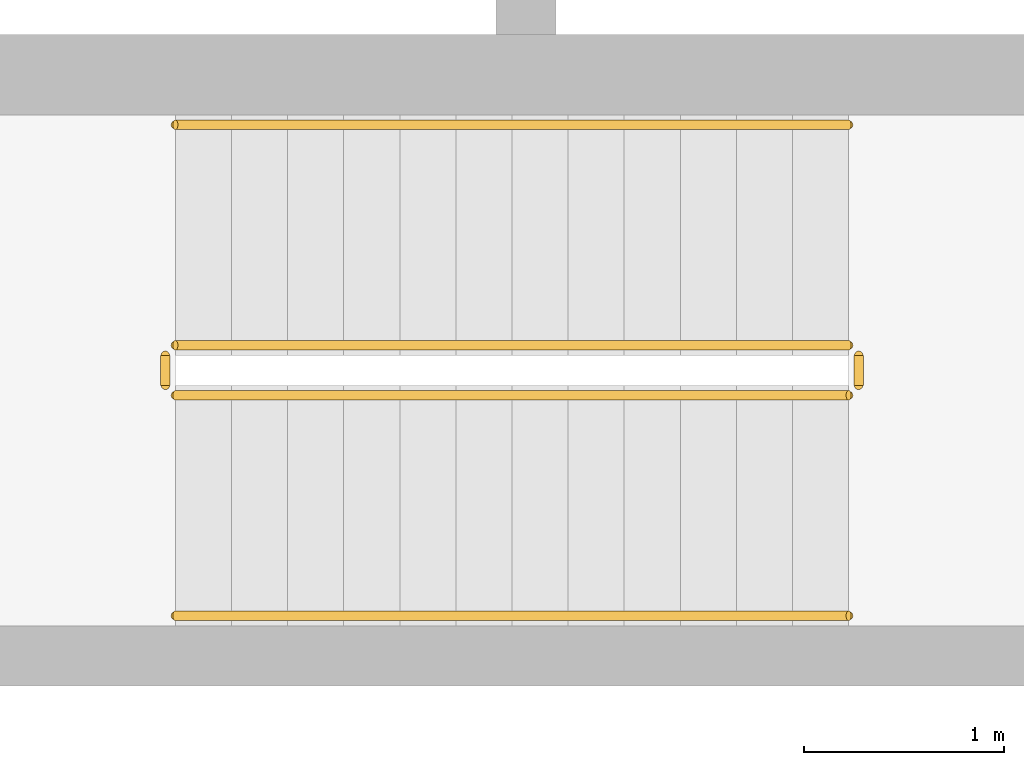
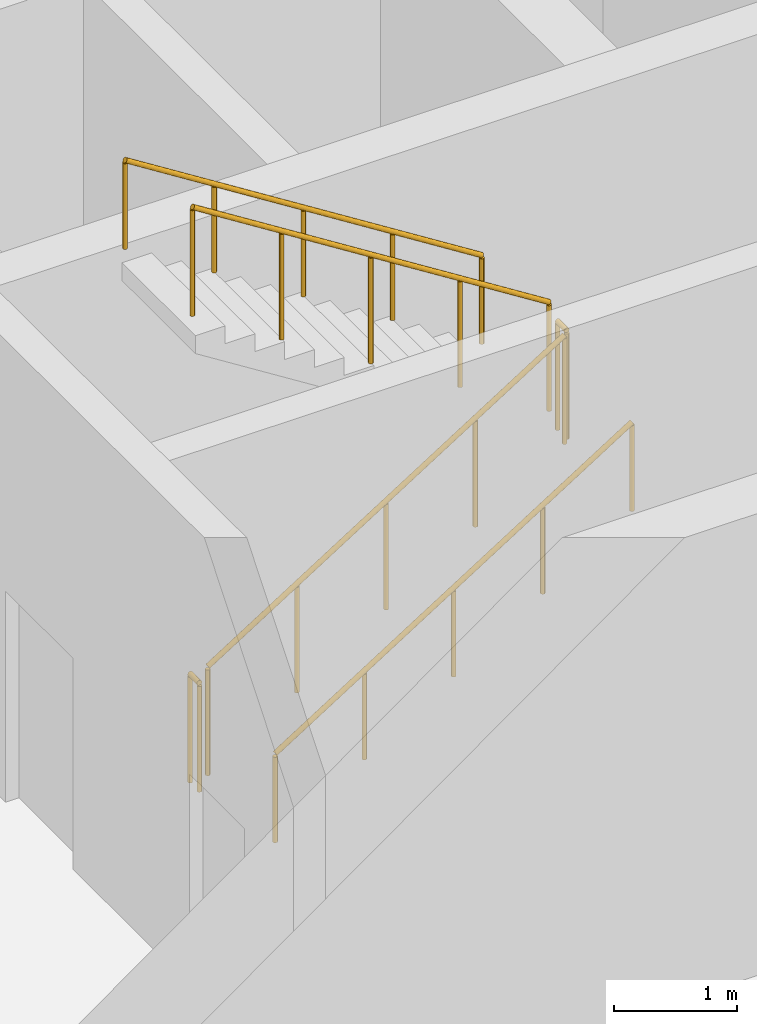
# One storey, part 12 of 15: 6 railings.
"""IFC4 building model written with IfcOpenShell, lengths in metres."""

from ifc_helpers import new_model, si_unit, direction, frame, origin, origin_2d, place, context, subcontext, project, spatial, circle, extrude, material, type_object, element, save


model = new_model("IFC4")

# Units and contexts
model_context = context("Model", 3, precision=1e-05, world=origin(), true_north=direction((0.0, 1.0)))
body_context = subcontext(model_context, "Body", "Model", "MODEL_VIEW")
ifc_project = project(units=[si_unit("LENGTHUNIT", "METRE"), si_unit("AREAUNIT", "SQUARE_METRE"), si_unit("VOLUMEUNIT", "CUBIC_METRE"), si_unit("PLANEANGLEUNIT", "RADIAN"), si_unit("MASSUNIT", "GRAM", prefix="KILO")], contexts=[model_context])

# Site, building, storey
site_placement = place(None, origin())
site = spatial("IfcSite", under=ifc_project, at=site_placement, CompositionType="ELEMENT")
building_placement = place(site_placement, origin())
building = spatial("IfcBuilding", under=site, at=building_placement, Name="Ostrand Prow Hotel Tower", CompositionType="ELEMENT")
storey_placement = place(building_placement, frame((0.0, 0.0, 263.300048828125)))
storey = spatial("IfcBuildingStorey", under=building, at=storey_placement, Name="L66", CompositionType="ELEMENT", Elevation=263.300048828125)

# Railings
ifc_material_1 = material(Name="Painted steel", Category="steel")
railing_type_1 = type_object("IfcRailingType", Name="Stair guard 1100", PredefinedType="GUARDRAIL", material=ifc_material_1)
railing_1_placement = place(storey_placement, frame((57.199951171875, -11.75, 0.1767578125)))
element("IfcRailing", 1, at=railing_1_placement, inside=storey, type_object=railing_type_1, Name="L66 ST2C stair guard 1", PredefinedType="GUARDRAIL", context=body_context, shape_type="SweptSolid", body=[
    extrude(circle(Radius=0.02392578125, at=origin_2d()), frame((0.0, 0.0, 1.076171875), z_axis=(0.845361898145, 0.0, 0.534194029511), x_axis=(0.0, 1.0, 0.0)), (0.0, 0.0, 1.0), 3.974853515625),
    extrude(circle(Radius=0.02099609375, at=origin_2d()), origin(), (0.0, 0.0, 1.0), 1.052001953125),
    extrude(circle(Radius=0.02099609375, at=origin_2d()), frame((0.840087890625, 0.0, 0.53076171875)), (0.0, 0.0, 1.0), 1.052001953125),
    extrude(circle(Radius=0.02099609375, at=origin_2d()), frame((1.68017578125, 0.0, 1.0615234375)), (0.0, 0.0, 1.0), 1.052001953125),
    extrude(circle(Radius=0.02099609375, at=origin_2d()), frame((2.52001953125, 0.0, 1.592529296875)), (0.0, 0.0, 1.0), 1.052001953125),
    extrude(circle(Radius=0.02099609375, at=origin_2d()), frame((3.360107421875, 0.0, 2.123291015625)), (0.0, 0.0, 1.0), 1.052001953125),
])
railing_2_placement = place(storey_placement, frame((60.610107421875, -11.699951171875, 2.300048828125)))
element("IfcRailing", 2, at=railing_2_placement, inside=storey, type_object=railing_type_1, Name="L66 ST2C stair guard 2", PredefinedType="GUARDRAIL", context=body_context, shape_type="SweptSolid", body=[
    extrude(circle(Radius=0.02392578125, at=origin_2d()), frame((0.0, 0.0, 1.076171875), z_axis=(0.0, 1.0, 0.0), x_axis=(-1.0, 0.0, 0.0)), (0.0, 0.0, 1.0), 0.14990234375),
    extrude(circle(Radius=0.02099609375, at=origin_2d()), origin(), (0.0, 0.0, 1.0), 1.052001953125),
    extrude(circle(Radius=0.02099609375, at=origin_2d()), frame((0.0, 0.14990234375, 0.0)), (0.0, 0.0, 1.0), 1.052001953125),
])
railing_3_placement = place(storey_placement, frame((60.56005859375, -11.5, 2.476806640625)))
element("IfcRailing", 3, at=railing_3_placement, inside=storey, type_object=railing_type_1, Name="L66 ST2C stair guard 3", PredefinedType="GUARDRAIL", context=body_context, shape_type="SweptSolid", body=[
    extrude(circle(Radius=0.02392578125, at=origin_2d()), frame((0.0, 0.0, 1.076171875), z_axis=(-0.845389635667, 0.0, 0.534150132366), x_axis=(0.0, -1.0, 0.0)), (0.0, 0.0, 1.0), 3.974609375),
    extrude(circle(Radius=0.02099609375, at=origin_2d()), origin(), (0.0, 0.0, 1.0), 1.052001953125),
    extrude(circle(Radius=0.02099609375, at=origin_2d()), frame((-0.840087890625, 0.0, 0.53076171875)), (0.0, 0.0, 1.0), 1.052001953125),
    extrude(circle(Radius=0.02099609375, at=origin_2d()), frame((-1.68017578125, 0.0, 1.0615234375)), (0.0, 0.0, 1.0), 1.052001953125),
    extrude(circle(Radius=0.02099609375, at=origin_2d()), frame((-2.52001953125, 0.0, 1.59228515625)), (0.0, 0.0, 1.0), 1.052001953125),
    extrude(circle(Radius=0.02099609375, at=origin_2d()), frame((-3.360107421875, 0.0, 2.123046875)), (0.0, 0.0, 1.0), 1.052001953125),
])
railing_4_placement = place(storey_placement, frame((57.14990234375, -11.699951171875, 0.0)))
element("IfcRailing", 4, at=railing_4_placement, inside=storey, type_object=railing_type_1, Name="L66 ST2C stair guard 4", PredefinedType="GUARDRAIL", context=body_context, shape_type="SweptSolid", body=[
    extrude(circle(Radius=0.02392578125, at=origin_2d()), frame((0.0, 0.0, 1.076171875), z_axis=(0.0, 1.0, 0.0), x_axis=(-1.0, 0.0, 0.0)), (0.0, 0.0, 1.0), 0.14990234375),
    extrude(circle(Radius=0.02099609375, at=origin_2d()), origin(), (0.0, 0.0, 1.0), 1.052001953125),
    extrude(circle(Radius=0.02099609375, at=origin_2d()), frame((0.0, 0.14990234375, 0.0)), (0.0, 0.0, 1.0), 1.052001953125),
])
ifc_material_2 = material(Name="Stainless steel", Category="steel")
railing_type_2 = type_object("IfcRailingType", Name="Stair handrail 900", PredefinedType="HANDRAIL", material=ifc_material_2)
railing_5_placement = place(storey_placement, frame((57.199951171875, -12.85009765625, 0.1767578125)))
element("IfcRailing", 5, at=railing_5_placement, inside=storey, type_object=railing_type_2, Name="L66 ST2C stair handrail 1", PredefinedType="HANDRAIL", context=body_context, shape_type="SweptSolid", body=[
    extrude(circle(Radius=0.02392578125, at=origin_2d()), frame((0.0, 0.0, 0.8759765625), z_axis=(0.845361898145, 0.0, 0.534194029511), x_axis=(0.0, 1.0, 0.0)), (0.0, 0.0, 1.0), 3.974853515625),
    extrude(circle(Radius=0.02099609375, at=origin_2d()), origin(), (0.0, 0.0, 1.0), 0.851806640625),
    extrude(circle(Radius=0.02099609375, at=origin_2d()), frame((0.840087890625, 0.0, 0.53076171875)), (0.0, 0.0, 1.0), 0.851806640625),
    extrude(circle(Radius=0.02099609375, at=origin_2d()), frame((1.68017578125, 0.0, 1.0615234375)), (0.0, 0.0, 1.0), 0.851806640625),
    extrude(circle(Radius=0.02099609375, at=origin_2d()), frame((2.52001953125, 0.0, 1.592529296875)), (0.0, 0.0, 1.0), 0.851806640625),
    extrude(circle(Radius=0.02099609375, at=origin_2d()), frame((3.360107421875, 0.0, 2.123291015625)), (0.0, 0.0, 1.0), 0.851806640625),
])
railing_6_placement = place(storey_placement, frame((60.56005859375, -10.39990234375, 2.476806640625)))
element("IfcRailing", 6, at=railing_6_placement, inside=storey, type_object=railing_type_2, Name="L66 ST2C stair handrail 2", PredefinedType="HANDRAIL", context=body_context, shape_type="SweptSolid", body=[
    extrude(circle(Radius=0.02392578125, at=origin_2d()), frame((0.0, 0.0, 0.8759765625), z_axis=(-0.845389635667, 0.0, 0.534150132366), x_axis=(0.0, -1.0, 0.0)), (0.0, 0.0, 1.0), 3.974609375),
    extrude(circle(Radius=0.02099609375, at=origin_2d()), origin(), (0.0, 0.0, 1.0), 0.851806640625),
    extrude(circle(Radius=0.02099609375, at=origin_2d()), frame((-0.840087890625, 0.0, 0.53076171875)), (0.0, 0.0, 1.0), 0.851806640625),
    extrude(circle(Radius=0.02099609375, at=origin_2d()), frame((-1.68017578125, 0.0, 1.0615234375)), (0.0, 0.0, 1.0), 0.851806640625),
    extrude(circle(Radius=0.02099609375, at=origin_2d()), frame((-2.52001953125, 0.0, 1.59228515625)), (0.0, 0.0, 1.0), 0.851806640625),
    extrude(circle(Radius=0.02099609375, at=origin_2d()), frame((-3.360107421875, 0.0, 2.123046875)), (0.0, 0.0, 1.0), 0.851806640625),
])

save(model, "model.ifc")
